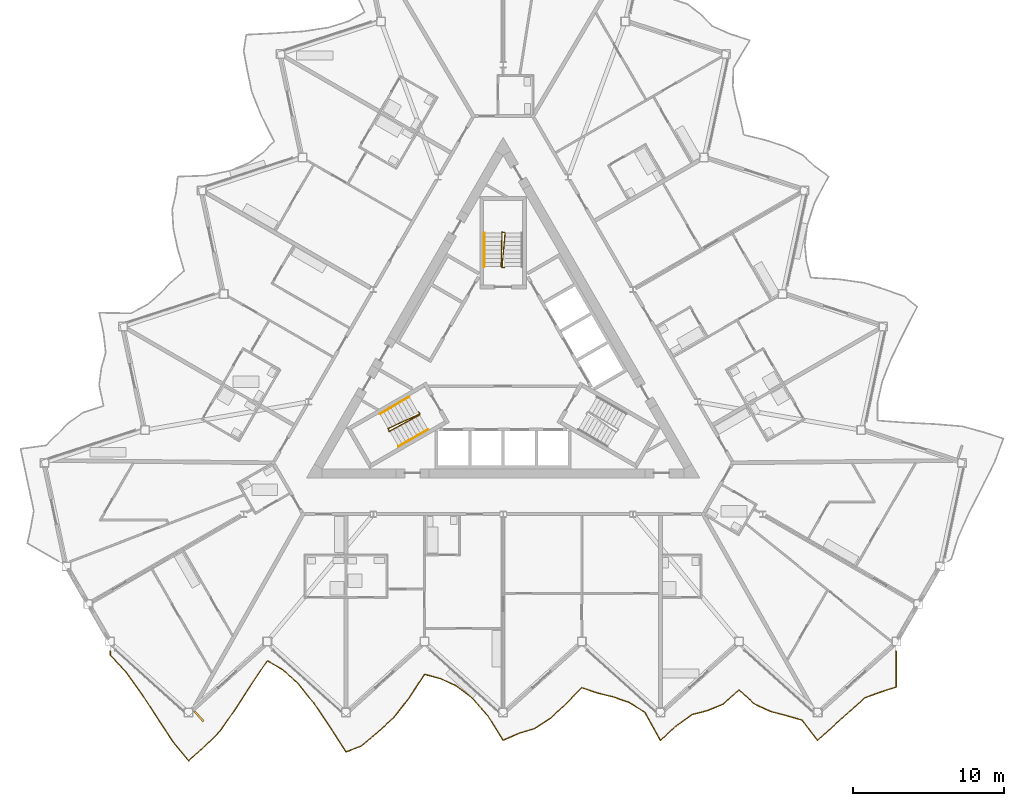
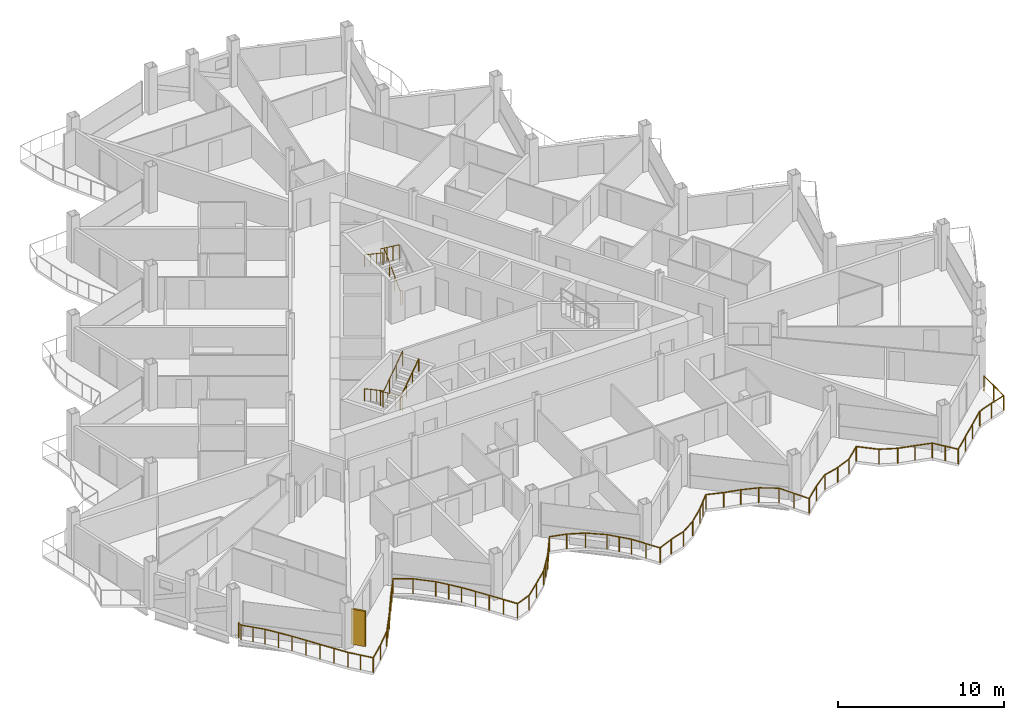
# One storey, part 23 of 27: 6 railings, 1 shading device.
"""IFC4 building model written with IfcOpenShell, lengths in metres."""

from ifc_helpers import new_model, si_unit, direction, frame, origin, origin_2d, place, context, subcontext, project, spatial, rectangle, circle, extrude, material, layer, layer_set, type_object, element, save


model = new_model("IFC4")

# Units and contexts
model_context = context("Model", 3, precision=1e-05, world=origin(), true_north=direction((0.0, 1.0)))
body_context = subcontext(model_context, "Body", "Model", "MODEL_VIEW")
ifc_project = project(units=[si_unit("LENGTHUNIT", "METRE"), si_unit("AREAUNIT", "SQUARE_METRE"), si_unit("VOLUMEUNIT", "CUBIC_METRE"), si_unit("PLANEANGLEUNIT", "RADIAN"), si_unit("MASSUNIT", "GRAM", prefix="KILO")], contexts=[model_context])

# Site, building, storey
site_placement = place(None, origin())
site = spatial("IfcSite", under=ifc_project, at=site_placement, CompositionType="ELEMENT")
building_placement = place(site_placement, origin())
building = spatial("IfcBuilding", under=site, at=building_placement, Name="Cormorant Prow Tower", CompositionType="ELEMENT")
storey_placement = place(building_placement, frame((0.0, 0.0, 335.800048828125)))
storey = spatial("IfcBuildingStorey", under=building, at=storey_placement, Name="L75", CompositionType="ELEMENT", Elevation=335.800048828125)

# Railings
ifc_material_1 = material(Name="Aluminium 6063-T6", Category="aluminium")
railing_type_1 = type_object("IfcRailingType", Name="Balcony guard 1100", PredefinedType="GUARDRAIL", material=ifc_material_1)
railing_1_placement = place(storey_placement, frame((-25.9814453125, -18.957763671875, 0.0)))
element("IfcRailing", 1, at=railing_1_placement, inside=storey, type_object=railing_type_1, Name="Balcony guard S", PredefinedType="GUARDRAIL", context=body_context, shape_type="SweptSolid", body=[
    extrude(circle(Radius=0.02392578125, at=origin_2d()), frame((0.0, 0.0, 1.076171875), z_axis=(0.0, -1.0, 0.0), x_axis=(1.0, 0.0, 0.0)), (0.0, 0.0, 1.0), 0.27001953125),
    extrude(circle(Radius=0.02392578125, at=origin_2d()), frame((0.0, -0.27001953125, 1.076171875), z_axis=(0.68032849275, -0.73290732153, 0.0), x_axis=(0.73290732153, 0.68032849275, 0.0)), (0.0, 0.0, 1.0), 1.527587890625),
    extrude(circle(Radius=0.02392578125, at=origin_2d()), frame((1.039306640625, -1.3896484375, 1.076171875), z_axis=(0.587080559974, -0.809528514693, 0.0), x_axis=(0.809528514693, 0.587080559974, 0.0)), (0.0, 0.0, 1.0), 1.770263671875),
    extrude(circle(Radius=0.02392578125, at=origin_2d()), frame((2.07861328125, -2.82275390625, 1.076171875), z_axis=(0.544651024109, -0.838662782015, 0.0), x_axis=(0.838662782015, 0.544651024109, 0.0)), (0.0, 0.0, 1.0), 1.908203125),
    extrude(circle(Radius=0.02392578125, at=origin_2d()), frame((3.117919921875, -4.423095703125, 1.076171875), z_axis=(0.551437597505, -0.834216144688, 0.0), x_axis=(0.834216144688, 0.551437597505, 0.0)), (0.0, 0.0, 1.0), 1.884765625),
    extrude(circle(Radius=0.02392578125, at=origin_2d()), frame((4.1572265625, -5.995361328125, 1.076171875), z_axis=(0.638205833075, -0.769865777022, 0.0), x_axis=(0.769865777022, 0.638205833075, 0.0)), (0.0, 0.0, 1.0), 1.628173828125),
    extrude(circle(Radius=0.02392578125, at=origin_2d()), frame((5.1962890625, -7.248779296875, 1.076171875), z_axis=(0.743146563056, 0.669128676578, 0.0), x_axis=(-0.669128676578, 0.743146563056, 0.0)), (0.0, 0.0, 1.0), 1.3984375),
    extrude(circle(Radius=0.02392578125, at=origin_2d()), frame((6.235595703125, -6.31298828125, 1.076171875), z_axis=(0.709686070567, 0.704518048912, 0.0), x_axis=(-0.704518048912, 0.709686070567, 0.0)), (0.0, 0.0, 1.0), 1.46435546875),
    extrude(circle(Radius=0.02392578125, at=origin_2d()), frame((7.27490234375, -5.28125, 1.076171875), z_axis=(0.570087082599, 0.821584273373, 0.0), x_axis=(-0.821584273373, 0.570087082599, 0.0)), (0.0, 0.0, 1.0), 1.822998046875),
    extrude(circle(Radius=0.02392578125, at=origin_2d()), frame((8.314208984375, -3.783447265625, 1.076171875), z_axis=(0.54159343413, 0.840640560589, 0.0), x_axis=(-0.840640560589, 0.54159343413, 0.0)), (0.0, 0.0, 1.0), 1.91845703125),
    extrude(circle(Radius=0.02392578125, at=origin_2d()), frame((9.353271484375, -2.170654296875, 1.076171875), z_axis=(0.562143861923, 0.827039466109, 0.0), x_axis=(-0.827039466109, 0.562143861923, 0.0)), (0.0, 0.0, 1.0), 1.848876953125),
    extrude(circle(Radius=0.02392578125, at=origin_2d()), frame((10.392578125, -0.6416015625, 1.076171875), z_axis=(0.865741715435, -0.500491041035, 0.0), x_axis=(0.500491041035, 0.865741715435, 0.0)), (0.0, 0.0, 1.0), 1.200439453125),
    extrude(circle(Radius=0.02392578125, at=origin_2d()), frame((11.431884765625, -1.242431640625, 1.076171875), z_axis=(0.735452211417, -0.677576596941, 0.0), x_axis=(0.677576596941, 0.735452211417, 0.0)), (0.0, 0.0, 1.0), 1.4130859375),
    extrude(circle(Radius=0.02392578125, at=origin_2d()), frame((12.47119140625, -2.199951171875, 1.076171875), z_axis=(0.621982306184, -0.783031296178, 0.0), x_axis=(0.783031296178, 0.621982306184, 0.0)), (0.0, 0.0, 1.0), 1.670654296875),
    extrude(circle(Radius=0.02392578125, at=origin_2d()), frame((13.51025390625, -3.508056640625, 1.076171875), z_axis=(0.55714419528, -0.830415766749, 0.0), x_axis=(0.830415766749, 0.55714419528, 0.0)), (0.0, 0.0, 1.0), 1.865478515625),
    extrude(circle(Radius=0.02392578125, at=origin_2d()), frame((14.549560546875, -5.05712890625, 1.076171875), z_axis=(0.542437384069, -0.840096235181, 0.0), x_axis=(0.840096235181, 0.542437384069, 0.0)), (0.0, 0.0, 1.0), 1.916015625),
    extrude(circle(Radius=0.02392578125, at=origin_2d()), frame((15.5888671875, -6.666748046875, 1.076171875), z_axis=(0.933368207953, 0.358920309236, 0.0), x_axis=(-0.358920309236, 0.933368207953, 0.0)), (0.0, 0.0, 1.0), 1.113525390625),
    extrude(circle(Radius=0.02392578125, at=origin_2d()), frame((16.628173828125, -6.26708984375, 1.076171875), z_axis=(0.759596574273, 0.650394529769, 0.0), x_axis=(-0.650394529769, 0.759596574273, 0.0)), (0.0, 0.0, 1.0), 1.3681640625),
    extrude(circle(Radius=0.02392578125, at=origin_2d()), frame((17.66748046875, -5.377197265625, 1.076171875), z_axis=(0.743155211164, 0.669119071706, 0.0), x_axis=(-0.669119071706, 0.743155211164, 0.0)), (0.0, 0.0, 1.0), 1.398193359375),
    extrude(circle(Radius=0.02392578125, at=origin_2d()), frame((18.70654296875, -4.441650390625, 1.076171875), z_axis=(0.618456548917, 0.785818997672, 0.0), x_axis=(-0.785818997672, 0.618456548917, 0.0)), (0.0, 0.0, 1.0), 1.680419921875),
    extrude(circle(Radius=0.02392578125, at=origin_2d()), frame((19.745849609375, -3.12109375, 1.076171875), z_axis=(0.548116340822, 0.836402102415, 0.0), x_axis=(-0.836402102415, 0.548116340822, 0.0)), (0.0, 0.0, 1.0), 1.896240234375),
    extrude(circle(Radius=0.02392578125, at=origin_2d()), frame((20.78515625, -1.53515625, 1.076171875), z_axis=(0.965337145809, -0.261006120467, 0.0), x_axis=(0.261006120467, 0.965337145809, 0.0)), (0.0, 0.0, 1.0), 1.07666015625),
    extrude(circle(Radius=0.02392578125, at=origin_2d()), frame((21.824462890625, -1.816162109375, 1.076171875), z_axis=(0.911375781862, -0.411575247354, 0.0), x_axis=(0.411575247354, 0.911375781862, 0.0)), (0.0, 0.0, 1.0), 1.14013671875),
    extrude(circle(Radius=0.02392578125, at=origin_2d()), frame((22.863525390625, -2.285400390625, 1.076171875), z_axis=(0.794479655582, -0.607290767974, 0.0), x_axis=(0.607290767974, 0.794479655582, 0.0)), (0.0, 0.0, 1.0), 1.30810546875),
    extrude(circle(Radius=0.02392578125, at=origin_2d()), frame((23.90283203125, -3.079833984375, 1.076171875), z_axis=(0.666858962994, -0.745183952775, 0.0), x_axis=(0.745183952775, 0.666858962994, 0.0)), (0.0, 0.0, 1.0), 1.55859375),
    extrude(circle(Radius=0.02392578125, at=origin_2d()), frame((24.942138671875, -4.2412109375, 1.076171875), z_axis=(0.531243493623, -0.8472191868, 0.0), x_axis=(0.8472191868, 0.531243493623, 0.0)), (0.0, 0.0, 1.0), 1.956298828125),
    extrude(circle(Radius=0.02392578125, at=origin_2d()), frame((25.9814453125, -5.898681640625, 1.076171875), z_axis=(0.914527695977, 0.404523291408, 0.0), x_axis=(-0.404523291408, 0.914527695977, 0.0)), (0.0, 0.0, 1.0), 1.136474609375),
    extrude(circle(Radius=0.02392578125, at=origin_2d()), frame((27.020751953125, -5.43896484375, 1.076171875), z_axis=(0.956899541661, 0.290419123285, 0.0), x_axis=(-0.290419123285, 0.956899541661, 0.0)), (0.0, 0.0, 1.0), 1.086181640625),
    extrude(circle(Radius=0.02392578125, at=origin_2d()), frame((28.06005859375, -5.12353515625, 1.076171875), z_axis=(0.836107029354, 0.548566345545, 0.0), x_axis=(-0.548566345545, 0.836107029354, 0.0)), (0.0, 0.0, 1.0), 1.242919921875),
    extrude(circle(Radius=0.02392578125, at=origin_2d()), frame((29.099365234375, -4.441650390625, 1.076171875), z_axis=(0.742981570304, 0.669311875129, 0.0), x_axis=(-0.669311875129, 0.742981570304, 0.0)), (0.0, 0.0, 1.0), 1.3984375),
    extrude(circle(Radius=0.02392578125, at=origin_2d()), frame((30.138427734375, -3.505615234375, 1.076171875), z_axis=(0.691506581765, 0.722370159528, 0.0), x_axis=(-0.722370159528, 0.691506581765, 0.0)), (0.0, 0.0, 1.0), 1.5029296875),
    extrude(circle(Radius=0.02392578125, at=origin_2d()), frame((31.177734375, -2.419921875, 1.076171875), z_axis=(0.947542004801, -0.319631270588, 0.0), x_axis=(0.319631270588, 0.947542004801, 0.0)), (0.0, 0.0, 1.0), 1.096923828125),
    extrude(circle(Radius=0.02392578125, at=origin_2d()), frame((32.217041015625, -2.7705078125, 1.076171875), z_axis=(0.970583467402, -0.240764891139, 0.0), x_axis=(0.240764891139, 0.970583467402, 0.0)), (0.0, 0.0, 1.0), 1.07080078125),
    extrude(circle(Radius=0.02392578125, at=origin_2d()), frame((33.25634765625, -3.0283203125, 1.076171875), z_axis=(0.943484496332, -0.331416664007, 0.0), x_axis=(0.331416664007, 0.943484496332, 0.0)), (0.0, 0.0, 1.0), 1.101318359375),
    extrude(circle(Radius=0.02392578125, at=origin_2d()), frame((34.29541015625, -3.393310546875, 1.076171875), z_axis=(0.851720136592, -0.523996955071, 0.0), x_axis=(0.523996955071, 0.851720136592, 0.0)), (0.0, 0.0, 1.0), 1.22021484375),
    extrude(circle(Radius=0.02392578125, at=origin_2d()), frame((35.334716796875, -4.03271484375, 1.076171875), z_axis=(0.486593742433, -0.873628370547, 0.0), x_axis=(0.873628370547, 0.486593742433, 0.0)), (0.0, 0.0, 1.0), 2.135986328125),
    extrude(circle(Radius=0.02392578125, at=origin_2d()), frame((36.3740234375, -5.898681640625, 1.076171875), z_axis=(0.743233373979, 0.669032250197, 0.0), x_axis=(-0.669032250197, 0.743233373979, 0.0)), (0.0, 0.0, 1.0), 1.3984375),
    extrude(circle(Radius=0.02392578125, at=origin_2d()), frame((37.413330078125, -4.963134765625, 1.076171875), z_axis=(0.806477264535, 0.591265102799, 0.0), x_axis=(-0.591265102799, 0.806477264535, 0.0)), (0.0, 0.0, 1.0), 1.288818359375),
    extrude(circle(Radius=0.02392578125, at=origin_2d()), frame((38.45263671875, -4.201171875, 1.076171875), z_axis=(0.968295078372, 0.249809209599, 0.0), x_axis=(-0.249809209599, 0.968295078372, 0.0)), (0.0, 0.0, 1.0), 1.072998046875),
    extrude(circle(Radius=0.02392578125, at=origin_2d()), frame((39.49169921875, -3.93310546875, 1.076171875), z_axis=(0.924822006948, 0.380400125479, 0.0), x_axis=(-0.380400125479, 0.924822006948, 0.0)), (0.0, 0.0, 1.0), 1.123779296875),
    extrude(circle(Radius=0.02392578125, at=origin_2d()), frame((40.531005859375, -3.505615234375, 1.076171875), z_axis=(0.743233373979, 0.669032250197, 0.0), x_axis=(-0.669032250197, 0.743233373979, 0.0)), (0.0, 0.0, 1.0), 1.3984375),
    extrude(circle(Radius=0.02392578125, at=origin_2d()), frame((41.5703125, -2.570068359375, 1.076171875), z_axis=(0.743233373979, -0.669032250197, 0.0), x_axis=(0.669032250197, 0.743233373979, 0.0)), (0.0, 0.0, 1.0), 1.3984375),
    extrude(circle(Radius=0.02392578125, at=origin_2d()), frame((42.609619140625, -3.505615234375, 1.076171875), z_axis=(0.907253077538, -0.420585132045, 0.0), x_axis=(0.420585132045, 0.907253077538, 0.0)), (0.0, 0.0, 1.0), 1.145263671875),
    extrude(circle(Radius=0.02392578125, at=origin_2d()), frame((43.648681640625, -3.9873046875, 1.076171875), z_axis=(0.966865328374, -0.255286969484, 0.0), x_axis=(0.255286969484, 0.966865328374, 0.0)), (0.0, 0.0, 1.0), 1.074951171875),
    extrude(circle(Radius=0.02392578125, at=origin_2d()), frame((44.68798828125, -4.26171875, 1.076171875), z_axis=(0.962313261268, -0.271943352902, 0.0), x_axis=(0.271943352902, 0.962313261268, 0.0)), (0.0, 0.0, 1.0), 1.080078125),
    extrude(circle(Radius=0.02392578125, at=origin_2d()), frame((45.727294921875, -4.555419921875, 1.076171875), z_axis=(0.61193832341, -0.790905486352, 0.0), x_axis=(0.790905486352, 0.61193832341, 0.0)), (0.0, 0.0, 1.0), 1.698486328125),
    extrude(circle(Radius=0.02392578125, at=origin_2d()), frame((46.7666015625, -5.898681640625, 1.076171875), z_axis=(0.743155211164, 0.669119071706, 0.0), x_axis=(-0.669119071706, 0.743155211164, 0.0)), (0.0, 0.0, 1.0), 1.398193359375),
    extrude(circle(Radius=0.02392578125, at=origin_2d()), frame((47.8056640625, -4.963134765625, 1.076171875), z_axis=(0.743146563056, 0.669128676578, 0.0), x_axis=(-0.669128676578, 0.743146563056, 0.0)), (0.0, 0.0, 1.0), 1.3984375),
    extrude(circle(Radius=0.02392578125, at=origin_2d()), frame((48.844970703125, -4.02734375, 1.076171875), z_axis=(0.743146563056, 0.669128676578, 0.0), x_axis=(-0.669128676578, 0.743146563056, 0.0)), (0.0, 0.0, 1.0), 1.3984375),
    extrude(circle(Radius=0.02392578125, at=origin_2d()), frame((49.88427734375, -3.091552734375, 1.076171875), z_axis=(0.939154099966, 0.343496108444, 0.0), x_axis=(-0.343496108444, 0.939154099966, 0.0)), (0.0, 0.0, 1.0), 1.106689453125),
    extrude(circle(Radius=0.02392578125, at=origin_2d()), frame((50.923583984375, -2.71142578125, 1.076171875), z_axis=(0.951853923043, 0.306551968168, 0.0), x_axis=(-0.306551968168, 0.951853923043, 0.0)), (0.0, 0.0, 1.0), 1.091796875),
    extrude(circle(Radius=0.02392578125, at=origin_2d()), frame((51.962890625, -2.376708984375, 1.076171875), z_axis=(0.0, 1.0, 0.0), x_axis=(-1.0, 0.0, 0.0)), (0.0, 0.0, 1.0), 2.376708984375),
    extrude(circle(Radius=0.02099609375, at=origin_2d()), origin(), (0.0, 0.0, 1.0), 1.052001953125),
    extrude(circle(Radius=0.02099609375, at=origin_2d()), frame((0.0, -0.27001953125, 0.0)), (0.0, 0.0, 1.0), 1.052001953125),
    extrude(circle(Radius=0.02099609375, at=origin_2d()), frame((0.51953125, -0.829833984375, 0.0)), (0.0, 0.0, 1.0), 1.052001953125),
    extrude(circle(Radius=0.02099609375, at=origin_2d()), frame((1.039306640625, -1.3896484375, 0.0)), (0.0, 0.0, 1.0), 1.052001953125),
    extrude(circle(Radius=0.02099609375, at=origin_2d()), frame((1.55908203125, -2.106201171875, 0.0)), (0.0, 0.0, 1.0), 1.052001953125),
    extrude(circle(Radius=0.02099609375, at=origin_2d()), frame((2.07861328125, -2.82275390625, 0.0)), (0.0, 0.0, 1.0), 1.052001953125),
    extrude(circle(Radius=0.02099609375, at=origin_2d()), frame((2.59814453125, -3.623046875, 0.0)), (0.0, 0.0, 1.0), 1.052001953125),
    extrude(circle(Radius=0.02099609375, at=origin_2d()), frame((3.117919921875, -4.423095703125, 0.0)), (0.0, 0.0, 1.0), 1.052001953125),
    extrude(circle(Radius=0.02099609375, at=origin_2d()), frame((3.6376953125, -5.209228515625, 0.0)), (0.0, 0.0, 1.0), 1.052001953125),
    extrude(circle(Radius=0.02099609375, at=origin_2d()), frame((4.1572265625, -5.995361328125, 0.0)), (0.0, 0.0, 1.0), 1.052001953125),
    extrude(circle(Radius=0.02099609375, at=origin_2d()), frame((4.6767578125, -6.6220703125, 0.0)), (0.0, 0.0, 1.0), 1.052001953125),
    extrude(circle(Radius=0.02099609375, at=origin_2d()), frame((5.1962890625, -7.248779296875, 0.0)), (0.0, 0.0, 1.0), 1.052001953125),
    extrude(circle(Radius=0.02099609375, at=origin_2d()), frame((6.235595703125, -6.31298828125, 0.0)), (0.0, 0.0, 1.0), 1.052001953125),
    extrude(circle(Radius=0.02099609375, at=origin_2d()), frame((7.27490234375, -5.28125, 0.0)), (0.0, 0.0, 1.0), 1.052001953125),
    extrude(circle(Radius=0.02099609375, at=origin_2d()), frame((7.79443359375, -4.5322265625, 0.0)), (0.0, 0.0, 1.0), 1.052001953125),
    extrude(circle(Radius=0.02099609375, at=origin_2d()), frame((8.314208984375, -3.783447265625, 0.0)), (0.0, 0.0, 1.0), 1.052001953125),
    extrude(circle(Radius=0.02099609375, at=origin_2d()), frame((8.833740234375, -2.97705078125, 0.0)), (0.0, 0.0, 1.0), 1.052001953125),
    extrude(circle(Radius=0.02099609375, at=origin_2d()), frame((9.353271484375, -2.170654296875, 0.0)), (0.0, 0.0, 1.0), 1.052001953125),
    extrude(circle(Radius=0.02099609375, at=origin_2d()), frame((9.873046875, -1.40625, 0.0)), (0.0, 0.0, 1.0), 1.052001953125),
    extrude(circle(Radius=0.02099609375, at=origin_2d()), frame((10.392578125, -0.6416015625, 0.0)), (0.0, 0.0, 1.0), 1.052001953125),
    extrude(circle(Radius=0.02099609375, at=origin_2d()), frame((11.431884765625, -1.242431640625, 0.0)), (0.0, 0.0, 1.0), 1.052001953125),
    extrude(circle(Radius=0.02099609375, at=origin_2d()), frame((12.47119140625, -2.199951171875, 0.0)), (0.0, 0.0, 1.0), 1.052001953125),
    extrude(circle(Radius=0.02099609375, at=origin_2d()), frame((12.99072265625, -2.85400390625, 0.0)), (0.0, 0.0, 1.0), 1.052001953125),
    extrude(circle(Radius=0.02099609375, at=origin_2d()), frame((13.51025390625, -3.508056640625, 0.0)), (0.0, 0.0, 1.0), 1.052001953125),
    extrude(circle(Radius=0.02099609375, at=origin_2d()), frame((14.02978515625, -4.28271484375, 0.0)), (0.0, 0.0, 1.0), 1.052001953125),
    extrude(circle(Radius=0.02099609375, at=origin_2d()), frame((14.549560546875, -5.05712890625, 0.0)), (0.0, 0.0, 1.0), 1.052001953125),
    extrude(circle(Radius=0.02099609375, at=origin_2d()), frame((15.0693359375, -5.86181640625, 0.0)), (0.0, 0.0, 1.0), 1.052001953125),
    extrude(circle(Radius=0.02099609375, at=origin_2d()), frame((15.5888671875, -6.666748046875, 0.0)), (0.0, 0.0, 1.0), 1.052001953125),
    extrude(circle(Radius=0.02099609375, at=origin_2d()), frame((16.628173828125, -6.26708984375, 0.0)), (0.0, 0.0, 1.0), 1.052001953125),
    extrude(circle(Radius=0.02099609375, at=origin_2d()), frame((17.66748046875, -5.377197265625, 0.0)), (0.0, 0.0, 1.0), 1.052001953125),
    extrude(circle(Radius=0.02099609375, at=origin_2d()), frame((18.70654296875, -4.441650390625, 0.0)), (0.0, 0.0, 1.0), 1.052001953125),
    extrude(circle(Radius=0.02099609375, at=origin_2d()), frame((19.22607421875, -3.78125, 0.0)), (0.0, 0.0, 1.0), 1.052001953125),
    extrude(circle(Radius=0.02099609375, at=origin_2d()), frame((19.745849609375, -3.12109375, 0.0)), (0.0, 0.0, 1.0), 1.052001953125),
    extrude(circle(Radius=0.02099609375, at=origin_2d()), frame((20.265625, -2.328125, 0.0)), (0.0, 0.0, 1.0), 1.052001953125),
    extrude(circle(Radius=0.02099609375, at=origin_2d()), frame((20.78515625, -1.53515625, 0.0)), (0.0, 0.0, 1.0), 1.052001953125),
    extrude(circle(Radius=0.02099609375, at=origin_2d()), frame((21.824462890625, -1.816162109375, 0.0)), (0.0, 0.0, 1.0), 1.052001953125),
    extrude(circle(Radius=0.02099609375, at=origin_2d()), frame((22.863525390625, -2.285400390625, 0.0)), (0.0, 0.0, 1.0), 1.052001953125),
    extrude(circle(Radius=0.02099609375, at=origin_2d()), frame((23.90283203125, -3.079833984375, 0.0)), (0.0, 0.0, 1.0), 1.052001953125),
    extrude(circle(Radius=0.02099609375, at=origin_2d()), frame((24.42236328125, -3.66064453125, 0.0)), (0.0, 0.0, 1.0), 1.052001953125),
    extrude(circle(Radius=0.02099609375, at=origin_2d()), frame((24.942138671875, -4.2412109375, 0.0)), (0.0, 0.0, 1.0), 1.052001953125),
    extrude(circle(Radius=0.02099609375, at=origin_2d()), frame((25.4619140625, -5.06982421875, 0.0)), (0.0, 0.0, 1.0), 1.052001953125),
    extrude(circle(Radius=0.02099609375, at=origin_2d()), frame((25.9814453125, -5.898681640625, 0.0)), (0.0, 0.0, 1.0), 1.052001953125),
    extrude(circle(Radius=0.02099609375, at=origin_2d()), frame((27.020751953125, -5.43896484375, 0.0)), (0.0, 0.0, 1.0), 1.052001953125),
    extrude(circle(Radius=0.02099609375, at=origin_2d()), frame((28.06005859375, -5.12353515625, 0.0)), (0.0, 0.0, 1.0), 1.052001953125),
    extrude(circle(Radius=0.02099609375, at=origin_2d()), frame((29.099365234375, -4.441650390625, 0.0)), (0.0, 0.0, 1.0), 1.052001953125),
    extrude(circle(Radius=0.02099609375, at=origin_2d()), frame((30.138427734375, -3.505615234375, 0.0)), (0.0, 0.0, 1.0), 1.052001953125),
    extrude(circle(Radius=0.02099609375, at=origin_2d()), frame((30.658203125, -2.962890625, 0.0)), (0.0, 0.0, 1.0), 1.052001953125),
    extrude(circle(Radius=0.02099609375, at=origin_2d()), frame((31.177734375, -2.419921875, 0.0)), (0.0, 0.0, 1.0), 1.052001953125),
    extrude(circle(Radius=0.02099609375, at=origin_2d()), frame((32.217041015625, -2.7705078125, 0.0)), (0.0, 0.0, 1.0), 1.052001953125),
    extrude(circle(Radius=0.02099609375, at=origin_2d()), frame((33.25634765625, -3.0283203125, 0.0)), (0.0, 0.0, 1.0), 1.052001953125),
    extrude(circle(Radius=0.02099609375, at=origin_2d()), frame((34.29541015625, -3.393310546875, 0.0)), (0.0, 0.0, 1.0), 1.052001953125),
    extrude(circle(Radius=0.02099609375, at=origin_2d()), frame((35.334716796875, -4.03271484375, 0.0)), (0.0, 0.0, 1.0), 1.052001953125),
    extrude(circle(Radius=0.02099609375, at=origin_2d()), frame((35.8544921875, -4.9658203125, 0.0)), (0.0, 0.0, 1.0), 1.052001953125),
    extrude(circle(Radius=0.02099609375, at=origin_2d()), frame((36.3740234375, -5.898681640625, 0.0)), (0.0, 0.0, 1.0), 1.052001953125),
    extrude(circle(Radius=0.02099609375, at=origin_2d()), frame((37.413330078125, -4.963134765625, 0.0)), (0.0, 0.0, 1.0), 1.052001953125),
    extrude(circle(Radius=0.02099609375, at=origin_2d()), frame((38.45263671875, -4.201171875, 0.0)), (0.0, 0.0, 1.0), 1.052001953125),
    extrude(circle(Radius=0.02099609375, at=origin_2d()), frame((39.49169921875, -3.93310546875, 0.0)), (0.0, 0.0, 1.0), 1.052001953125),
    extrude(circle(Radius=0.02099609375, at=origin_2d()), frame((40.531005859375, -3.505615234375, 0.0)), (0.0, 0.0, 1.0), 1.052001953125),
    extrude(circle(Radius=0.02099609375, at=origin_2d()), frame((41.5703125, -2.570068359375, 0.0)), (0.0, 0.0, 1.0), 1.052001953125),
    extrude(circle(Radius=0.02099609375, at=origin_2d()), frame((42.609619140625, -3.505615234375, 0.0)), (0.0, 0.0, 1.0), 1.052001953125),
    extrude(circle(Radius=0.02099609375, at=origin_2d()), frame((43.648681640625, -3.9873046875, 0.0)), (0.0, 0.0, 1.0), 1.052001953125),
    extrude(circle(Radius=0.02099609375, at=origin_2d()), frame((44.68798828125, -4.26171875, 0.0)), (0.0, 0.0, 1.0), 1.052001953125),
    extrude(circle(Radius=0.02099609375, at=origin_2d()), frame((45.727294921875, -4.555419921875, 0.0)), (0.0, 0.0, 1.0), 1.052001953125),
    extrude(circle(Radius=0.02099609375, at=origin_2d()), frame((46.2470703125, -5.22705078125, 0.0)), (0.0, 0.0, 1.0), 1.052001953125),
    extrude(circle(Radius=0.02099609375, at=origin_2d()), frame((46.7666015625, -5.898681640625, 0.0)), (0.0, 0.0, 1.0), 1.052001953125),
    extrude(circle(Radius=0.02099609375, at=origin_2d()), frame((47.8056640625, -4.963134765625, 0.0)), (0.0, 0.0, 1.0), 1.052001953125),
    extrude(circle(Radius=0.02099609375, at=origin_2d()), frame((48.844970703125, -4.02734375, 0.0)), (0.0, 0.0, 1.0), 1.052001953125),
    extrude(circle(Radius=0.02099609375, at=origin_2d()), frame((49.88427734375, -3.091552734375, 0.0)), (0.0, 0.0, 1.0), 1.052001953125),
    extrude(circle(Radius=0.02099609375, at=origin_2d()), frame((50.923583984375, -2.71142578125, 0.0)), (0.0, 0.0, 1.0), 1.052001953125),
    extrude(circle(Radius=0.02099609375, at=origin_2d()), frame((51.962890625, -2.376708984375, 0.0)), (0.0, 0.0, 1.0), 1.052001953125),
    extrude(circle(Radius=0.02099609375, at=origin_2d()), frame((51.962890625, -1.1884765625, 0.0)), (0.0, 0.0, 1.0), 1.052001953125),
    extrude(circle(Radius=0.02099609375, at=origin_2d()), frame((51.962890625, 0.0, 0.0)), (0.0, 0.0, 1.0), 1.052001953125),
])
ifc_material_2 = material(Name="Stainless steel", Category="steel")
railing_type_2 = type_object("IfcRailingType", Name="Stair guard 1100", PredefinedType="GUARDRAIL", material=ifc_material_2)
railing_2_placement = place(storey_placement, frame((-5.585205078125, -3.137939453125, 0.0)))
element("IfcRailing", 2, at=railing_2_placement, inside=storey, type_object=railing_type_2, Name="L75 ST1 stair guard 1", PredefinedType="GUARDRAIL", context=body_context, shape_type="SweptSolid", body=[
    extrude(circle(Radius=0.02392578125, at=origin_2d()), frame((0.0, 0.0, 1.076171875), z_axis=(0.501036270542, -0.865426285481, 0.0), x_axis=(0.865426285481, 0.501036270542, 0.0)), (0.0, 0.0, 1.0), 0.150146484375),
    extrude(circle(Radius=0.02392578125, at=origin_2d()), frame((0.0751953125, -0.1298828125, 1.076171875), z_axis=(-0.728641035543, -0.339941399566, 0.594577233152), x_axis=(0.422792438952, -0.906226546491, 0.0)), (0.0, 0.0, 1.0), 2.859130859375),
    extrude(circle(Radius=0.02392578125, at=origin_2d()), frame((-2.008056640625, -1.101806640625, 2.77587890625), z_axis=(0.275034262293, -0.961434425515, 0.0), x_axis=(0.961434425515, 0.275034262293, 0.0)), (0.0, 0.0, 1.0), 0.2060546875),
    extrude(circle(Radius=0.02392578125, at=origin_2d()), frame((-1.951416015625, -1.2998046875, 2.77587890625), z_axis=(0.704058451865, 0.386179398835, 0.595959032378), x_axis=(-0.480911908544, 0.87676891837, 0.0)), (0.0, 0.0, 1.0), 2.8525390625),
    extrude(circle(Radius=0.02099609375, at=origin_2d()), origin(), (0.0, 0.0, 1.0), 1.052001953125),
    extrude(circle(Radius=0.02099609375, at=origin_2d()), frame((0.0751953125, -0.1298828125, 0.0)), (0.0, 0.0, 1.0), 1.052001953125),
    extrude(circle(Radius=0.02099609375, at=origin_2d()), frame((-0.619140625, -0.453857421875, 0.566650390625)), (0.0, 0.0, 1.0), 1.052001953125),
    extrude(circle(Radius=0.02099609375, at=origin_2d()), frame((-1.313720703125, -0.77783203125, 1.13330078125)), (0.0, 0.0, 1.0), 1.052001953125),
    extrude(circle(Radius=0.02099609375, at=origin_2d()), frame((-2.008056640625, -1.101806640625, 1.699951171875)), (0.0, 0.0, 1.0), 1.052001953125),
    extrude(circle(Radius=0.02099609375, at=origin_2d()), frame((-1.951416015625, -1.2998046875, 1.699951171875)), (0.0, 0.0, 1.0), 1.052001953125),
    extrude(circle(Radius=0.02099609375, at=origin_2d()), frame((-1.281982421875, -0.9326171875, 2.2666015625)), (0.0, 0.0, 1.0), 1.052001953125),
    extrude(circle(Radius=0.02099609375, at=origin_2d()), frame((-0.612548828125, -0.5654296875, 2.833251953125)), (0.0, 0.0, 1.0), 1.052001953125),
    extrude(circle(Radius=0.02099609375, at=origin_2d()), frame((0.056884765625, -0.1982421875, 3.39990234375)), (0.0, 0.0, 1.0), 1.052001953125),
])
railing_3_placement = place(storey_placement, frame((0.074951171875, 6.40576171875, 0.0)))
element("IfcRailing", 3, at=railing_3_placement, inside=storey, type_object=railing_type_2, Name="L75 ST3 stair guard 1", PredefinedType="GUARDRAIL", context=body_context, shape_type="SweptSolid", body=[
    extrude(circle(Radius=0.02392578125, at=origin_2d()), frame((0.0, 0.0, 1.076171875), z_axis=(-1.0, 0.0, 0.0), x_axis=(0.0, -1.0, 0.0)), (0.0, 0.0, 1.0), 0.14990234375),
    extrude(circle(Radius=0.02392578125, at=origin_2d()), frame((-0.14990234375, 0.0, 1.076171875), z_axis=(0.069936542308, 0.800982621307, 0.594588698525), x_axis=(-0.996209839609, 0.086982500921, 0.0)), (0.0, 0.0, 1.0), 2.859130859375),
    extrude(circle(Radius=0.02392578125, at=origin_2d()), frame((0.050048828125, 2.2900390625, 2.77587890625), z_axis=(-0.970072785993, 0.242814311512, 0.0), x_axis=(-0.242814311512, -0.970072785993, 0.0)), (0.0, 0.0, 1.0), 0.2060546875),
    extrude(circle(Radius=0.02392578125, at=origin_2d()), frame((-0.14990234375, 2.340087890625, 2.77587890625), z_axis=(-0.017545750742, -0.80282508275, 0.595956402045), x_axis=(0.999761264773, -0.0218497931, 0.0)), (0.0, 0.0, 1.0), 2.8525390625),
    extrude(circle(Radius=0.02099609375, at=origin_2d()), origin(), (0.0, 0.0, 1.0), 1.052001953125),
    extrude(circle(Radius=0.02099609375, at=origin_2d()), frame((-0.14990234375, 0.0, 0.0)), (0.0, 0.0, 1.0), 1.052001953125),
    extrude(circle(Radius=0.02099609375, at=origin_2d()), frame((-0.083251953125, 0.763427734375, 0.566650390625)), (0.0, 0.0, 1.0), 1.052001953125),
    extrude(circle(Radius=0.02099609375, at=origin_2d()), frame((-0.0166015625, 1.526611328125, 1.13330078125)), (0.0, 0.0, 1.0), 1.052001953125),
    extrude(circle(Radius=0.02099609375, at=origin_2d()), frame((0.050048828125, 2.2900390625, 1.699951171875)), (0.0, 0.0, 1.0), 1.052001953125),
    extrude(circle(Radius=0.02099609375, at=origin_2d()), frame((-0.14990234375, 2.340087890625, 1.699951171875)), (0.0, 0.0, 1.0), 1.052001953125),
    extrude(circle(Radius=0.02099609375, at=origin_2d()), frame((-0.16650390625, 1.57666015625, 2.2666015625)), (0.0, 0.0, 1.0), 1.052001953125),
    extrude(circle(Radius=0.02099609375, at=origin_2d()), frame((-0.183349609375, 0.8134765625, 2.833251953125)), (0.0, 0.0, 1.0), 1.052001953125),
    extrude(circle(Radius=0.02099609375, at=origin_2d()), frame((-0.199951171875, 0.050048828125, 3.39990234375)), (0.0, 0.0, 1.0), 1.052001953125),
])
ifc_material_3 = material(Name="Stainless steel", Category="steel")
railing_type_3 = type_object("IfcRailingType", Name="Stair handrail 900", PredefinedType="HANDRAIL", material=ifc_material_3)
railing_4_placement = place(storey_placement, frame((-6.212890625, -2.150634765625, 0.188720703125)))
element("IfcRailing", 4, at=railing_4_placement, inside=storey, type_object=railing_type_3, Name="L75 ST1 stair handrail 1", PredefinedType="HANDRAIL", context=body_context, shape_type="SweptSolid", body=[
    extrude(circle(Radius=0.02392578125, at=origin_2d()), frame((0.0, 0.0, 0.8759765625), z_axis=(-0.717940317343, -0.414446543626, 0.55928147047), x_axis=(0.49994888933, -0.866054910533, 0.0)), (0.0, 0.0, 1.0), 2.7021484375),
    extrude(circle(Radius=0.02099609375, at=origin_2d()), origin(), (0.0, 0.0, 1.0), 0.851806640625),
    extrude(circle(Radius=0.02099609375, at=origin_2d()), frame((-0.646728515625, -0.373291015625, 0.503662109375)), (0.0, 0.0, 1.0), 0.851806640625),
    extrude(circle(Radius=0.02099609375, at=origin_2d()), frame((-1.293212890625, -0.74658203125, 1.007568359375)), (0.0, 0.0, 1.0), 0.851806640625),
    extrude(circle(Radius=0.02099609375, at=origin_2d()), frame((-1.93994140625, -1.119873046875, 1.51123046875)), (0.0, 0.0, 1.0), 0.851806640625),
])
railing_5_placement = place(storey_placement, frame((-6.90869140625, -5.42529296875, 1.888916015625)))
element("IfcRailing", 5, at=railing_5_placement, inside=storey, type_object=railing_type_3, Name="L75 ST1 stair handrail 2", PredefinedType="HANDRAIL", context=body_context, shape_type="SweptSolid", body=[
    extrude(circle(Radius=0.02392578125, at=origin_2d()), frame((0.0, 0.0, 0.8759765625), z_axis=(0.71790592183, 0.414569209485, 0.559234707389), x_axis=(-0.500077830873, 0.865980463445, 0.0)), (0.0, 0.0, 1.0), 2.701904296875),
    extrude(circle(Radius=0.02099609375, at=origin_2d()), origin(), (0.0, 0.0, 1.0), 0.851806640625),
    extrude(circle(Radius=0.02099609375, at=origin_2d()), frame((0.646484375, 0.373291015625, 0.503662109375)), (0.0, 0.0, 1.0), 0.851806640625),
    extrude(circle(Radius=0.02099609375, at=origin_2d()), frame((1.293212890625, 0.746826171875, 1.00732421875)), (0.0, 0.0, 1.0), 0.851806640625),
    extrude(circle(Radius=0.02099609375, at=origin_2d()), frame((1.939697265625, 1.1201171875, 1.510986328125)), (0.0, 0.0, 1.0), 0.851806640625),
])
railing_6_placement = place(storey_placement, frame((-1.243896484375, 8.69580078125, 1.888916015625)))
element("IfcRailing", 6, at=railing_6_placement, inside=storey, type_object=railing_type_3, Name="L75 ST3 stair handrail 2", PredefinedType="HANDRAIL", context=body_context, shape_type="SweptSolid", body=[
    extrude(circle(Radius=0.02392578125, at=origin_2d()), frame((0.0, 0.0, 0.8759765625), z_axis=(0.0, -0.829021472004, 0.559216772778), x_axis=(1.0, 0.0, 0.0)), (0.0, 0.0, 1.0), 2.701904296875),
    extrude(circle(Radius=0.02099609375, at=origin_2d()), origin(), (0.0, 0.0, 1.0), 0.851806640625),
    extrude(circle(Radius=0.02099609375, at=origin_2d()), frame((0.0, -0.74658203125, 0.503662109375)), (0.0, 0.0, 1.0), 0.851806640625),
    extrude(circle(Radius=0.02099609375, at=origin_2d()), frame((0.0, -1.493408203125, 1.00732421875)), (0.0, 0.0, 1.0), 0.851806640625),
    extrude(circle(Radius=0.02099609375, at=origin_2d()), frame((0.0, -2.239990234375, 1.510986328125)), (0.0, 0.0, 1.0), 0.851806640625),
])

# Shading device
ifc_material_4 = material(Name="Terracotta", Category="masonry")
ifc_layer = layer(ifc_material_4, 0.1201171875)
ifc_layer_set = layer_set([ifc_layer], Name="Terracotta")
shading_device_type = type_object("IfcShadingDeviceType", Name="Terracotta baguette fin 120x900x2600", PredefinedType="USERDEFINED", material=ifc_layer_set)
shading_device_placement = place(storey_placement, frame((-20.116943359375, -23.260498046875, 0.0), z_axis=(0.0, 0.0, 1.0), x_axis=(0.743144841442, 0.669130588628, 0.0)))
element("IfcShadingDevice", 7, at=shading_device_placement, inside=storey, type_object=shading_device_type, Name="Baguette fin S01", ObjectType="BAGUETTE", PredefinedType="USERDEFINED", context=body_context, shape_type="SweptSolid", body=[
    extrude(rectangle(XDim=0.1201171875, YDim=0.89990234375, at=origin_2d()), origin(), (0.0, 0.0, 1.0), 2.60009765625),
])

save(model, "model.ifc")
